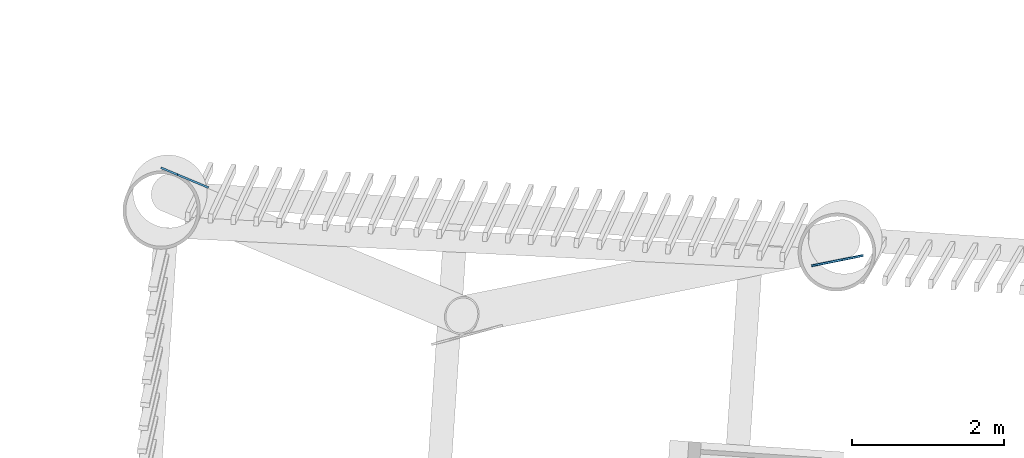
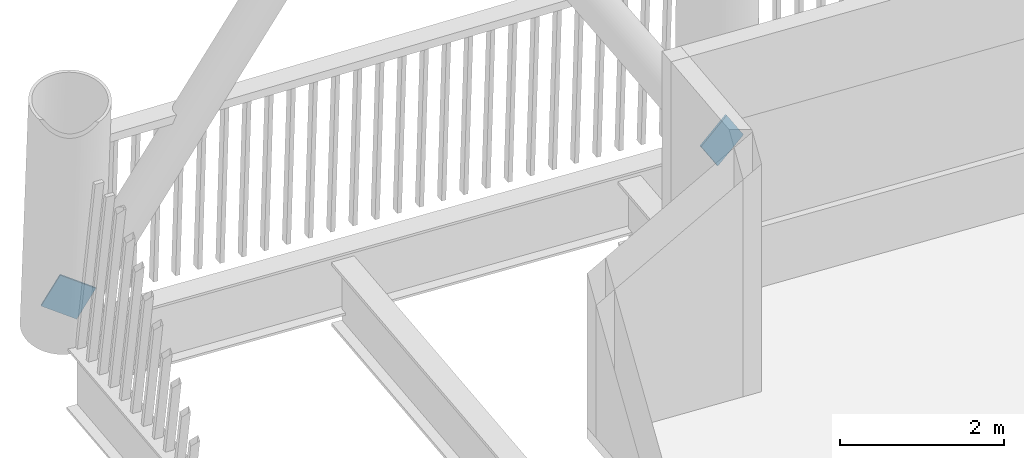
# One storey, part 12 of 22: 2 discrete accessories.
"""IFC4 building model written with IfcOpenShell, lengths in metres."""

from ifc_helpers import new_model, si_unit, direction, frame, origin, origin_2d, place, context, subcontext, project, spatial, rectangle, extrude, material, material_profile, profile_set, type_object, element, save


model = new_model("IFC4")

# Units and contexts
model_context = context("Model", 3, precision=1e-05, world=origin(), true_north=direction((0.0, 1.0)))
body_context = subcontext(model_context, "Body", "Model", "MODEL_VIEW")
ifc_project = project(units=[si_unit("LENGTHUNIT", "METRE"), si_unit("AREAUNIT", "SQUARE_METRE"), si_unit("VOLUMEUNIT", "CUBIC_METRE"), si_unit("PLANEANGLEUNIT", "RADIAN"), si_unit("MASSUNIT", "GRAM", prefix="KILO")], contexts=[model_context])

# Site, building, storey
site_placement = place(None, origin())
site = spatial("IfcSite", under=ifc_project, at=site_placement, CompositionType="ELEMENT")
building_placement = place(site_placement, origin())
building = spatial("IfcBuilding", under=site, at=building_placement, Name="Tarsis Ring Headquarters", CompositionType="ELEMENT")
storey_placement = place(building_placement, frame((0.0, 0.0, 270.800048828125)))
storey = spatial("IfcBuildingStorey", under=building, at=storey_placement, Name="L63", CompositionType="ELEMENT", Elevation=270.800048828125)

# Discrete accessories
ifc_material = material(Name="Structural steel S355", Category="steel")
ifc_material_profile = material_profile(ifc_material, rectangle(XDim=0.02490234375, YDim=0.5, at=origin_2d()), Name="PL 25x500")
ifc_profile_set = profile_set([ifc_material_profile], Name="Structural steel S355")
discrete_accessory_type = type_object("IfcDiscreteAccessoryType", Name="Gusset plate Exo brace 25", PredefinedType="BRACKET", material=ifc_profile_set)
discrete_accessory_1_placement = place(storey_placement, frame((-32.76611328125, 16.798583984375, 0.0), z_axis=(-0.538284575726, -0.108438453549, 0.835757630732), x_axis=(0.197484513176, -0.980306006845, 0.0)))
element("IfcDiscreteAccessory", 1, at=discrete_accessory_1_placement, inside=storey, type_object=discrete_accessory_type, Name="Gusset plate GP5", PredefinedType="BRACKET", context=body_context, shape_type="SweptSolid", body=[
    extrude(rectangle(XDim=0.02490234375, YDim=0.5, at=origin_2d()), origin(), (0.0, 0.0, 1.0), 0.499755859375),
])
discrete_accessory_2_placement = place(storey_placement, frame((-41.59765625, 17.908203125, 0.0), z_axis=(0.436019615228, -0.182122414871, 0.881316243546), x_axis=(0.385422315123, 0.922740287949, 0.0)))
element("IfcDiscreteAccessory", 2, at=discrete_accessory_2_placement, inside=storey, type_object=discrete_accessory_type, Name="Gusset plate GP5", PredefinedType="BRACKET", context=body_context, shape_type="SweptSolid", body=[
    extrude(rectangle(XDim=0.02490234375, YDim=0.5, at=origin_2d()), origin(), (0.0, 0.0, 1.0), 0.5),
])

save(model, "model.ifc")
